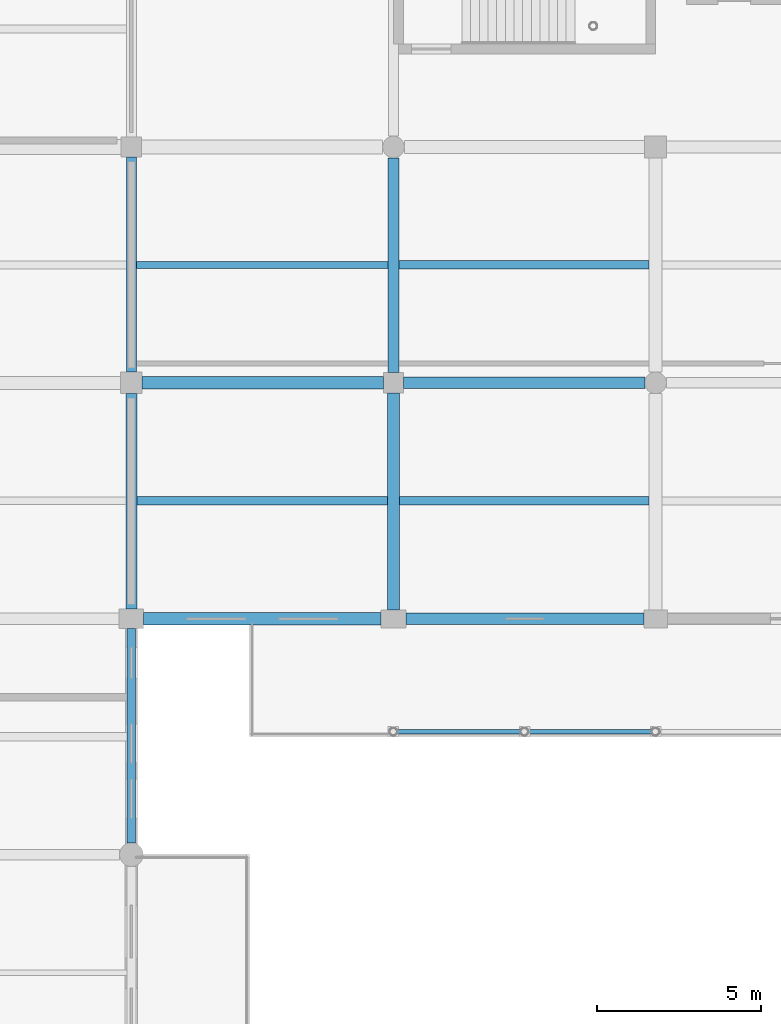
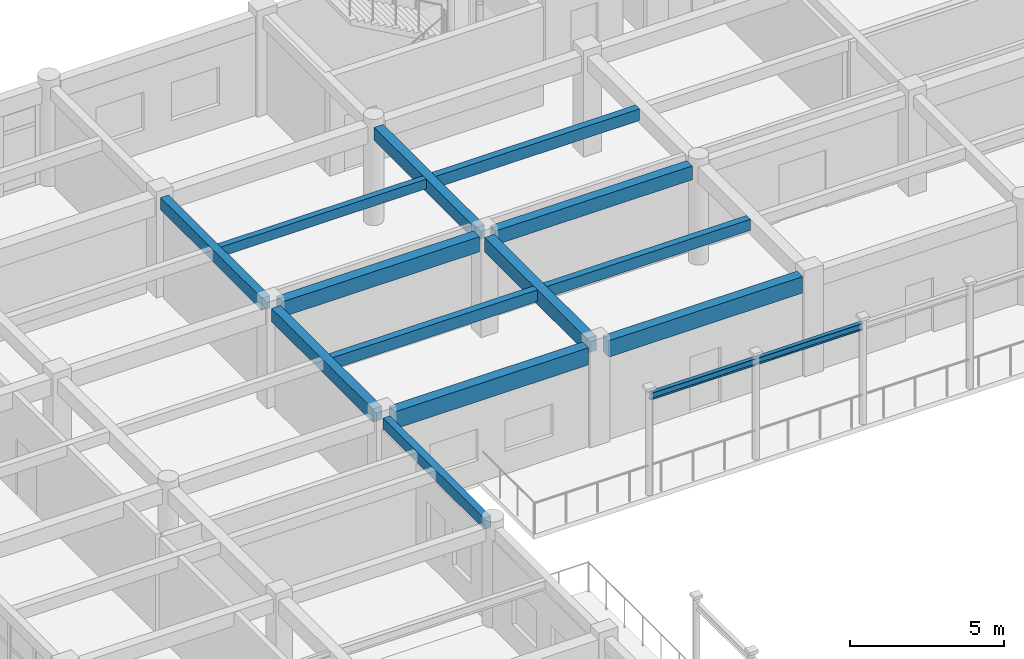
# One storey, part 111 of 195: 14 beams.
"""IFC4 building model written with IfcOpenShell, lengths in metres."""

from ifc_helpers import new_model, si_unit, direction, frame, origin, origin_2d, place, context, subcontext, project, spatial, rectangle, i_section, extrude, material, material_profile, profile_set, type_object, element, save


model = new_model("IFC4")

# Units and contexts
model_context = context("Model", 3, precision=1e-05, world=origin(), true_north=direction((0.0, 1.0)))
body_context = subcontext(model_context, "Body", "Model", "MODEL_VIEW")
ifc_project = project(units=[si_unit("LENGTHUNIT", "METRE"), si_unit("AREAUNIT", "SQUARE_METRE"), si_unit("VOLUMEUNIT", "CUBIC_METRE"), si_unit("PLANEANGLEUNIT", "RADIAN"), si_unit("MASSUNIT", "GRAM", prefix="KILO")], contexts=[model_context])

# Site, building, storey
site_placement = place(None, origin())
site = spatial("IfcSite", under=ifc_project, at=site_placement, CompositionType="ELEMENT")
building_placement = place(site_placement, origin())
building = spatial("IfcBuilding", under=site, at=building_placement, Name="Kharva Crest Polytechnic", CompositionType="ELEMENT")
storey_placement = place(building_placement, frame((0.0, 0.0, 9.0)))
storey = spatial("IfcBuildingStorey", under=building, at=storey_placement, Name="L02", CompositionType="ELEMENT", Elevation=9.0)

# Beams
ifc_material_1 = material(Name="Concrete C35/45", Category="concrete")
ifc_material_profile_1 = material_profile(ifc_material_1, rectangle(XDim=0.300048828125, YDim=0.47998046875, at=origin_2d()), Name="RECT 300 X 480")
ifc_profile_set_1 = profile_set([ifc_material_profile_1], Name="Concrete C35/45")
beam_type_1 = type_object("IfcBeamType", Name="BM-RC-300X480", PredefinedType="BEAM", material=ifc_profile_set_1)
beam_1_placement = place(storey_placement, frame((48.0, 107.925048828125, 3.679931640625), z_axis=(0.0, 1.0, 0.0), x_axis=(-1.0, 0.0, 0.0)))
element("IfcBeam", 1, at=beam_1_placement, inside=storey, type_object=beam_type_1, Name="L02 Girder 7/Q-R", PredefinedType="BEAM", context=body_context, shape_type="SweptSolid", body=[
    extrude(rectangle(XDim=0.300048828125, YDim=0.47998046875, at=origin_2d()), origin(), (0.0, 0.0, 1.0), 6.56494140625),
])
ifc_material_profile_2 = material_profile(ifc_material_1, rectangle(XDim=0.340087890625, YDim=0.52001953125, at=origin_2d()), Name="RECT 340 X 520")
ifc_profile_set_2 = profile_set([ifc_material_profile_2], Name="Concrete C35/45")
beam_type_2 = type_object("IfcBeamType", Name="BM-RC-340X520", PredefinedType="BEAM", material=ifc_profile_set_2)
beam_2_placement = place(storey_placement, frame((48.0, 100.699951171875, 3.659912109375), z_axis=(0.0, 1.0, 0.0), x_axis=(-1.0, 0.0, 0.0)))
element("IfcBeam", 2, at=beam_2_placement, inside=storey, type_object=beam_type_2, Name="L02 Girder 7/P-Q", PredefinedType="BEAM", context=body_context, shape_type="SweptSolid", body=[
    extrude(rectangle(XDim=0.340087890625, YDim=0.52001953125, at=origin_2d()), origin(), (0.0, 0.0, 1.0), 6.574951171875),
])
beam_3_placement = place(storey_placement, frame((56.0, 107.909912109375, 3.659912109375), z_axis=(0.0, 1.0, 0.0), x_axis=(-1.0, 0.0, 0.0)))
element("IfcBeam", 3, at=beam_3_placement, inside=storey, type_object=beam_type_2, Name="L02 Girder 8/Q-R", PredefinedType="BEAM", context=body_context, shape_type="SweptSolid", body=[
    extrude(rectangle(XDim=0.340087890625, YDim=0.52001953125, at=origin_2d()), origin(), (0.0, 0.0, 1.0), 6.56005859375),
])
ifc_material_profile_3 = material_profile(ifc_material_1, rectangle(XDim=0.35009765625, YDim=0.550048828125, at=origin_2d()), Name="RECT 350 X 550")
ifc_profile_set_3 = profile_set([ifc_material_profile_3], Name="Concrete C35/45")
beam_type_3 = type_object("IfcBeamType", Name="BM-RC-350X550", PredefinedType="BEAM", material=ifc_profile_set_3)
beam_4_placement = place(storey_placement, frame((56.31005859375, 107.60009765625, 3.64501953125), z_axis=(1.0, 0.0, 0.0), x_axis=(0.0, 1.0, 0.0)))
element("IfcBeam", 4, at=beam_4_placement, inside=storey, type_object=beam_type_3, Name="L02 Beam Q/8-9", PredefinedType="BEAM", context=body_context, shape_type="SweptSolid", body=[
    extrude(rectangle(XDim=0.35009765625, YDim=0.550048828125, at=origin_2d()), origin(), (0.0, 0.0, 1.0), 7.35986328125),
])
ifc_material_profile_4 = material_profile(ifc_material_1, rectangle(XDim=0.360107421875, YDim=0.580078125, at=origin_2d()), Name="RECT 360 X 580")
ifc_profile_set_4 = profile_set([ifc_material_profile_4], Name="Concrete C35/45")
beam_type_4 = type_object("IfcBeamType", Name="BM-RC-360X580", PredefinedType="BEAM", material=ifc_profile_set_4)
beam_5_placement = place(storey_placement, frame((56.0, 100.675048828125, 3.6298828125), z_axis=(0.0, 1.0, 0.0), x_axis=(-1.0, 0.0, 0.0)))
element("IfcBeam", 5, at=beam_5_placement, inside=storey, type_object=beam_type_4, Name="L02 Girder 8/P-Q", PredefinedType="BEAM", context=body_context, shape_type="SweptSolid", body=[
    extrude(rectangle(XDim=0.360107421875, YDim=0.580078125, at=origin_2d()), origin(), (0.0, 0.0, 1.0), 6.614990234375),
])
ifc_material_profile_5 = material_profile(ifc_material_1, rectangle(XDim=0.3798828125, YDim=0.60009765625, at=origin_2d()), Name="RECT 380 X 600")
ifc_profile_set_5 = profile_set([ifc_material_profile_5], Name="Concrete C35/45")
beam_type_5 = type_object("IfcBeamType", Name="BM-RC-380X600", PredefinedType="BEAM", material=ifc_profile_set_5)
beam_6_placement = place(storey_placement, frame((48.324951171875, 107.60009765625, 3.6201171875), z_axis=(1.0, 0.0, 0.0), x_axis=(0.0, 1.0, 0.0)))
element("IfcBeam", 6, at=beam_6_placement, inside=storey, type_object=beam_type_5, Name="L02 Beam Q/7-8", PredefinedType="BEAM", context=body_context, shape_type="SweptSolid", body=[
    extrude(rectangle(XDim=0.3798828125, YDim=0.60009765625, at=origin_2d()), origin(), (0.0, 0.0, 1.0), 7.364990234375),
])
ifc_material_2 = material(Name="Steel S355", Category="steel")
ifc_material_profile_6 = material_profile(ifc_material_2, i_section(OverallWidth=0.14794921875, OverallDepth=0.26611328125, WebThickness=0.007568359375, FlangeThickness=0.012939453125, at=origin_2d()), Name="W250X44.8")
ifc_profile_set_6 = profile_set([ifc_material_profile_6], Name="Steel S355")
beam_type_6 = type_object("IfcBeamType", Name="BM-STL-W250X44", PredefinedType="SPANDREL", material=ifc_profile_set_6)
beam_7_placement = place(storey_placement, frame((56.02001953125, 96.949951171875, 3.85693359375), z_axis=(1.0, 0.0, 0.0), x_axis=(0.0, 1.0, 0.0)))
element("IfcBeam", 7, at=beam_7_placement, inside=storey, type_object=beam_type_6, Name="L02 North Veranda Beam 1", PredefinedType="SPANDREL", context=body_context, shape_type="SweptSolid", body=[
    extrude(i_section(OverallWidth=0.14794921875, OverallDepth=0.26611328125, WebThickness=0.007568359375, FlangeThickness=0.012939453125, at=origin_2d()), origin(), (0.0, 0.0, 1.0), 7.9599609375),
])
ifc_material_profile_7 = material_profile(ifc_material_1, rectangle(XDim=0.219970703125, YDim=0.3798828125, at=origin_2d()), Name="RECT 220 X 380")
ifc_profile_set_7 = profile_set([ifc_material_profile_7], Name="Concrete C35/45")
beam_type_7 = type_object("IfcBeamType", Name="JS-RC-220X380", PredefinedType="JOIST", material=ifc_profile_set_7)
beam_8_placement = place(storey_placement, frame((48.14990234375, 111.199951171875, 3.72998046875), z_axis=(1.0, 0.0, 0.0), x_axis=(0.0, 1.0, 0.0)))
element("IfcBeam", 8, at=beam_8_placement, inside=storey, type_object=beam_type_7, Name="L02 Floor Joist 36", PredefinedType="JOIST", context=body_context, shape_type="SweptSolid", body=[
    extrude(rectangle(XDim=0.219970703125, YDim=0.3798828125, at=origin_2d()), origin(), (0.0, 0.0, 1.0), 7.68017578125),
])
ifc_material_profile_8 = material_profile(ifc_material_1, rectangle(XDim=0.25, YDim=0.43994140625, at=origin_2d()), Name="RECT 250 X 440")
ifc_profile_set_8 = profile_set([ifc_material_profile_8], Name="Concrete C35/45")
beam_type_8 = type_object("IfcBeamType", Name="JS-RC-250X440", PredefinedType="JOIST", material=ifc_profile_set_8)
beam_9_placement = place(storey_placement, frame((56.179931640625, 104.0, 3.699951171875), z_axis=(1.0, 0.0, 0.0), x_axis=(0.0, 1.0, 0.0)))
element("IfcBeam", 9, at=beam_9_placement, inside=storey, type_object=beam_type_8, Name="L02 Floor Joist 18", PredefinedType="JOIST", context=body_context, shape_type="SweptSolid", body=[
    extrude(rectangle(XDim=0.25, YDim=0.43994140625, at=origin_2d()), origin(), (0.0, 0.0, 1.0), 7.6201171875),
])
ifc_material_profile_9 = material_profile(ifc_material_1, rectangle(XDim=0.260009765625, YDim=0.4599609375, at=origin_2d()), Name="RECT 260 X 460")
ifc_profile_set_9 = profile_set([ifc_material_profile_9], Name="Concrete C35/45")
beam_type_9 = type_object("IfcBeamType", Name="JS-RC-260X460", PredefinedType="JOIST", material=ifc_profile_set_9)
beam_10_placement = place(storey_placement, frame((48.169921875, 104.0, 3.68994140625), z_axis=(1.0, 0.0, 0.0), x_axis=(0.0, 1.0, 0.0)))
element("IfcBeam", 10, at=beam_10_placement, inside=storey, type_object=beam_type_9, Name="L02 Floor Joist 17", PredefinedType="JOIST", context=body_context, shape_type="SweptSolid", body=[
    extrude(rectangle(XDim=0.260009765625, YDim=0.4599609375, at=origin_2d()), origin(), (0.0, 0.0, 1.0), 7.650146484375),
])
beam_11_placement = place(storey_placement, frame((56.169921875, 111.199951171875, 3.68994140625), z_axis=(1.0, 0.0, 0.0), x_axis=(0.0, 1.0, 0.0)))
element("IfcBeam", 11, at=beam_11_placement, inside=storey, type_object=beam_type_9, Name="L02 Floor Joist 37", PredefinedType="JOIST", context=body_context, shape_type="SweptSolid", body=[
    extrude(rectangle(XDim=0.260009765625, YDim=0.4599609375, at=origin_2d()), origin(), (0.0, 0.0, 1.0), 7.630126953125),
])
ifc_material_profile_10 = material_profile(ifc_material_1, rectangle(XDim=0.260009765625, YDim=0.43994140625, at=origin_2d()), Name="RECT 260 X 440")
ifc_profile_set_10 = profile_set([ifc_material_profile_10], Name="Concrete C35/45")
beam_type_10 = type_object("IfcBeamType", Name="SP-RC-260X440", PredefinedType="SPANDREL", material=ifc_profile_set_10)
beam_12_placement = place(storey_placement, frame((48.0, 93.56005859375, 3.699951171875), z_axis=(0.0, 1.0, 0.0), x_axis=(-1.0, 0.0, 0.0)))
element("IfcBeam", 12, at=beam_12_placement, inside=storey, type_object=beam_type_10, Name="L02 Girder 7/N-P", PredefinedType="SPANDREL", context=body_context, shape_type="SweptSolid", body=[
    extrude(rectangle(XDim=0.260009765625, YDim=0.43994140625, at=origin_2d()), origin(), (0.0, 0.0, 1.0), 6.5400390625),
])
ifc_material_profile_11 = material_profile(ifc_material_1, rectangle(XDim=0.360107421875, YDim=0.64990234375, at=origin_2d()), Name="RECT 360 X 650")
ifc_profile_set_11 = profile_set([ifc_material_profile_11], Name="Concrete C35/45")
beam_type_11 = type_object("IfcBeamType", Name="SP-RC-360X650", PredefinedType="SPANDREL", material=ifc_profile_set_11)
beam_13_placement = place(storey_placement, frame((56.375, 100.39990234375, 3.594970703125), z_axis=(1.0, 0.0, 0.0), x_axis=(0.0, 1.0, 0.0)))
element("IfcBeam", 13, at=beam_13_placement, inside=storey, type_object=beam_type_11, Name="L02 Beam P/8-9", PredefinedType="SPANDREL", context=body_context, shape_type="SweptSolid", body=[
    extrude(rectangle(XDim=0.360107421875, YDim=0.64990234375, at=origin_2d()), origin(), (0.0, 0.0, 1.0), 7.264892578125),
])
ifc_material_profile_12 = material_profile(ifc_material_1, rectangle(XDim=0.3798828125, YDim=0.679931640625, at=origin_2d()), Name="RECT 380 X 680")
ifc_profile_set_12 = profile_set([ifc_material_profile_12], Name="Concrete C35/45")
beam_type_12 = type_object("IfcBeamType", Name="SP-RC-380X680", PredefinedType="SPANDREL", material=ifc_profile_set_12)
beam_14_placement = place(storey_placement, frame((48.375, 100.39990234375, 3.580078125), z_axis=(1.0, 0.0, 0.0), x_axis=(0.0, 1.0, 0.0)))
element("IfcBeam", 14, at=beam_14_placement, inside=storey, type_object=beam_type_12, Name="L02 Beam P/7-8", PredefinedType="SPANDREL", context=body_context, shape_type="SweptSolid", body=[
    extrude(rectangle(XDim=0.3798828125, YDim=0.679931640625, at=origin_2d()), origin(), (0.0, 0.0, 1.0), 7.25),
])

save(model, "model.ifc")
